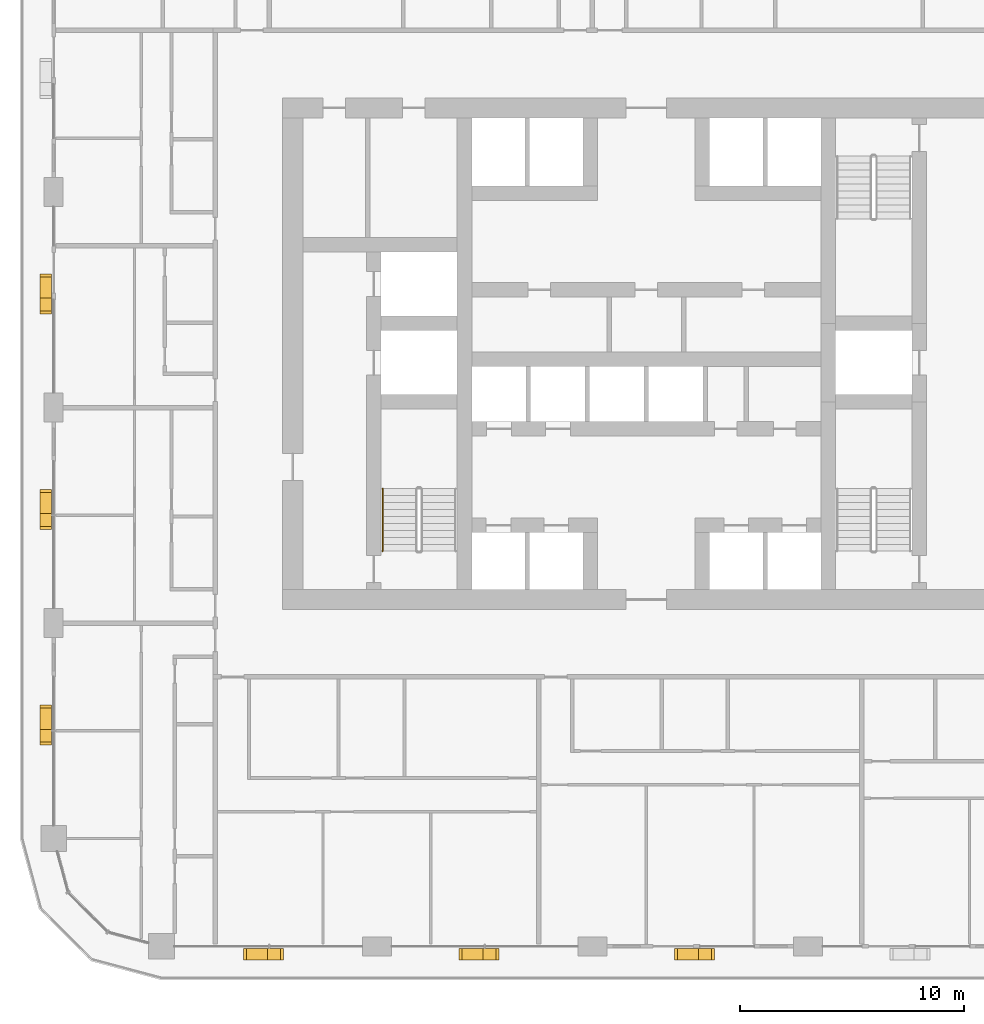
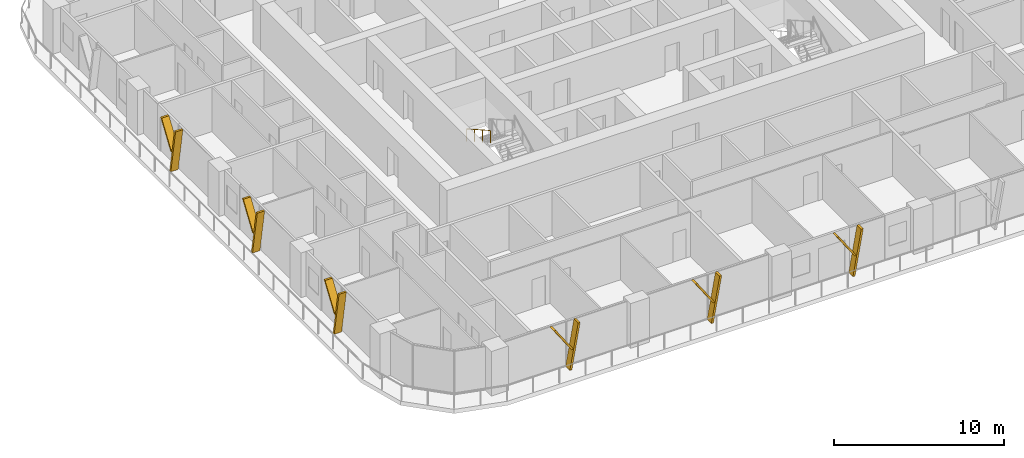
# One storey, part 17 of 22: 12 shading devices, 1 railing.
"""IFC4 building model written with IfcOpenShell, lengths in metres."""

from ifc_helpers import new_model, si_unit, direction, frame, origin, origin_2d, place, context, subcontext, project, spatial, polyline, circle, outline, extrude, material, type_object, element, save


model = new_model("IFC4")

# Units and contexts
model_context = context("Model", 3, precision=1e-05, world=origin(), true_north=direction((0.0, 1.0)))
body_context = subcontext(model_context, "Body", "Model", "MODEL_VIEW")
ifc_project = project(units=[si_unit("LENGTHUNIT", "METRE"), si_unit("AREAUNIT", "SQUARE_METRE"), si_unit("VOLUMEUNIT", "CUBIC_METRE"), si_unit("PLANEANGLEUNIT", "RADIAN"), si_unit("MASSUNIT", "GRAM", prefix="KILO")], contexts=[model_context])

# Site, building, storey
site_placement = place(None, origin())
site = spatial("IfcSite", under=ifc_project, at=site_placement, CompositionType="ELEMENT")
building_placement = place(site_placement, origin())
building = spatial("IfcBuilding", under=site, at=building_placement, Name="Madar Terraces", CompositionType="ELEMENT")
storey_placement = place(building_placement, frame((0.0, 0.0, 66.300048828125)))
storey = spatial("IfcBuildingStorey", under=building, at=storey_placement, Name="L16", CompositionType="ELEMENT", Elevation=66.300048828125)

# Shading devices
ifc_material_1 = material(Name="Aluminium, black anodised", Category="aluminium")
shading_device_type = type_object("IfcShadingDeviceType", Name="Facade fin blade 140 x 500", PredefinedType="USERDEFINED", material=ifc_material_1)
shading_device_1_placement = place(storey_placement, frame((14.330078125, -0.35009765625, 0.0), z_axis=(0.0, 0.0, 1.0), x_axis=(1.0, 0.0, 0.0)))
element("IfcShadingDevice", 1, at=shading_device_1_placement, inside=storey, type_object=shading_device_type, Name="FIN L16 S1", ObjectType="FIN", PredefinedType="USERDEFINED", context=body_context, shape_type="SweptSolid", body=[
    extrude(outline(polyline([(0.0, 0.0), (0.139892578125, 0.0), (0.704345703125, 3.199951171875), (0.564208984375, 3.199951171875), (0.0, 0.0)])), frame((0.0, 0.25, 0.0), z_axis=(0.0, -1.0, 0.0), x_axis=(1.0, 0.0, 0.0)), (0.0, 0.0, 1.0), 0.5),
])
shading_device_2_placement = place(storey_placement, frame((14.44384765625, -0.35009765625, 1.43994140625), z_axis=(0.0, 0.0, 1.0), x_axis=(1.0, 0.0, 0.0)))
element("IfcShadingDevice", 2, at=shading_device_2_placement, inside=storey, type_object=shading_device_type, Name="FIN L16 S1 branch", ObjectType="FIN", PredefinedType="USERDEFINED", context=body_context, shape_type="SweptSolid", body=[
    extrude(outline(polyline([(0.0, 0.0), (0.14013671875, 0.0), (-1.049560546875, 1.760009765625), (-1.189697265625, 1.760009765625), (0.0, 0.0)])), frame((0.0, 0.25, 0.0), z_axis=(0.0, -1.0, 0.0), x_axis=(1.0, 0.0, 0.0)), (0.0, 0.0, 1.0), 0.5),
])
shading_device_3_placement = place(storey_placement, frame((23.929931640625, -0.35009765625, 0.0), z_axis=(0.0, 0.0, 1.0), x_axis=(1.0, 0.0, 0.0)))
element("IfcShadingDevice", 3, at=shading_device_3_placement, inside=storey, type_object=shading_device_type, Name="FIN L16 S2", ObjectType="FIN", PredefinedType="USERDEFINED", context=body_context, shape_type="SweptSolid", body=[
    extrude(outline(polyline([(0.0, 0.0), (0.14013671875, 0.0), (0.704345703125, 3.199951171875), (0.564208984375, 3.199951171875), (0.0, 0.0)])), frame((0.0, 0.25, 0.0), z_axis=(0.0, -1.0, 0.0), x_axis=(1.0, 0.0, 0.0)), (0.0, 0.0, 1.0), 0.5),
])
shading_device_4_placement = place(storey_placement, frame((24.0439453125, -0.35009765625, 1.43994140625), z_axis=(0.0, 0.0, 1.0), x_axis=(1.0, 0.0, 0.0)))
element("IfcShadingDevice", 4, at=shading_device_4_placement, inside=storey, type_object=shading_device_type, Name="FIN L16 S2 branch", ObjectType="FIN", PredefinedType="USERDEFINED", context=body_context, shape_type="SweptSolid", body=[
    extrude(outline(polyline([(0.0, 0.0), (0.139892578125, 0.0), (-1.049560546875, 1.760009765625), (-1.189697265625, 1.760009765625), (0.0, 0.0)])), frame((0.0, 0.25, 0.0), z_axis=(0.0, -1.0, 0.0), x_axis=(1.0, 0.0, 0.0)), (0.0, 0.0, 1.0), 0.5),
])
shading_device_5_placement = place(storey_placement, frame((33.530029296875, -0.35009765625, 0.0), z_axis=(0.0, 0.0, 1.0), x_axis=(1.0, 0.0, 0.0)))
element("IfcShadingDevice", 5, at=shading_device_5_placement, inside=storey, type_object=shading_device_type, Name="FIN L16 S3", ObjectType="FIN", PredefinedType="USERDEFINED", context=body_context, shape_type="SweptSolid", body=[
    extrude(outline(polyline([(0.0, 0.0), (0.139892578125, 0.0), (0.704345703125, 3.199951171875), (0.564208984375, 3.199951171875), (0.0, 0.0)])), frame((0.0, 0.25, 0.0), z_axis=(0.0, -1.0, 0.0), x_axis=(1.0, 0.0, 0.0)), (0.0, 0.0, 1.0), 0.5),
])
shading_device_6_placement = place(storey_placement, frame((33.643798828125, -0.35009765625, 1.43994140625), z_axis=(0.0, 0.0, 1.0), x_axis=(1.0, 0.0, 0.0)))
element("IfcShadingDevice", 6, at=shading_device_6_placement, inside=storey, type_object=shading_device_type, Name="FIN L16 S3 branch", ObjectType="FIN", PredefinedType="USERDEFINED", context=body_context, shape_type="SweptSolid", body=[
    extrude(outline(polyline([(0.0, 0.0), (0.14013671875, 0.0), (-1.049560546875, 1.760009765625), (-1.189697265625, 1.760009765625), (0.0, 0.0)])), frame((0.0, 0.25, 0.0), z_axis=(0.0, -1.0, 0.0), x_axis=(1.0, 0.0, 0.0)), (0.0, 0.0, 1.0), 0.5),
])
shading_device_7_placement = place(storey_placement, frame((4.449951171875, 28.8701171875, 0.0), z_axis=(0.0, 0.0, 1.0), x_axis=(0.0, -1.0, 0.0)))
element("IfcShadingDevice", 7, at=shading_device_7_placement, inside=storey, type_object=shading_device_type, Name="FIN L16 W2", ObjectType="FIN", PredefinedType="USERDEFINED", context=body_context, shape_type="SweptSolid", body=[
    extrude(outline(polyline([(0.0, 0.0), (0.14013671875, 0.0), (0.704345703125, 3.199951171875), (0.564208984375, 3.199951171875), (0.0, 0.0)])), frame((0.0, 0.25, 0.0), z_axis=(0.0, -1.0, 0.0), x_axis=(1.0, 0.0, 0.0)), (0.0, 0.0, 1.0), 0.5),
])
shading_device_8_placement = place(storey_placement, frame((4.449951171875, 28.756103515625, 1.43994140625), z_axis=(0.0, 0.0, 1.0), x_axis=(0.0, -1.0, 0.0)))
element("IfcShadingDevice", 8, at=shading_device_8_placement, inside=storey, type_object=shading_device_type, Name="FIN L16 W2 branch", ObjectType="FIN", PredefinedType="USERDEFINED", context=body_context, shape_type="SweptSolid", body=[
    extrude(outline(polyline([(0.0, 0.0), (0.139892578125, 0.0), (-1.049560546875, 1.760009765625), (-1.189697265625, 1.760009765625), (0.0, 0.0)])), frame((0.0, 0.25, 0.0), z_axis=(0.0, -1.0, 0.0), x_axis=(1.0, 0.0, 0.0)), (0.0, 0.0, 1.0), 0.5),
])
shading_device_9_placement = place(storey_placement, frame((4.449951171875, 19.27001953125, 0.0), z_axis=(0.0, 0.0, 1.0), x_axis=(0.0, -1.0, 0.0)))
element("IfcShadingDevice", 9, at=shading_device_9_placement, inside=storey, type_object=shading_device_type, Name="FIN L16 W3", ObjectType="FIN", PredefinedType="USERDEFINED", context=body_context, shape_type="SweptSolid", body=[
    extrude(outline(polyline([(0.0, 0.0), (0.14013671875, 0.0), (0.704345703125, 3.199951171875), (0.564208984375, 3.199951171875), (0.0, 0.0)])), frame((0.0, 0.25, 0.0), z_axis=(0.0, -1.0, 0.0), x_axis=(1.0, 0.0, 0.0)), (0.0, 0.0, 1.0), 0.5),
])
shading_device_10_placement = place(storey_placement, frame((4.449951171875, 19.156005859375, 1.43994140625), z_axis=(0.0, 0.0, 1.0), x_axis=(0.0, -1.0, 0.0)))
element("IfcShadingDevice", 10, at=shading_device_10_placement, inside=storey, type_object=shading_device_type, Name="FIN L16 W3 branch", ObjectType="FIN", PredefinedType="USERDEFINED", context=body_context, shape_type="SweptSolid", body=[
    extrude(outline(polyline([(0.0, 0.0), (0.139892578125, 0.0), (-1.049560546875, 1.760009765625), (-1.189697265625, 1.760009765625), (0.0, 0.0)])), frame((0.0, 0.25, 0.0), z_axis=(0.0, -1.0, 0.0), x_axis=(1.0, 0.0, 0.0)), (0.0, 0.0, 1.0), 0.5),
])
shading_device_11_placement = place(storey_placement, frame((4.449951171875, 9.669921875, 0.0), z_axis=(0.0, 0.0, 1.0), x_axis=(0.0, -1.0, 0.0)))
element("IfcShadingDevice", 11, at=shading_device_11_placement, inside=storey, type_object=shading_device_type, Name="FIN L16 W4", ObjectType="FIN", PredefinedType="USERDEFINED", context=body_context, shape_type="SweptSolid", body=[
    extrude(outline(polyline([(0.0, 0.0), (0.139892578125, 0.0), (0.704345703125, 3.199951171875), (0.564208984375, 3.199951171875), (0.0, 0.0)])), frame((0.0, 0.25, 0.0), z_axis=(0.0, -1.0, 0.0), x_axis=(1.0, 0.0, 0.0)), (0.0, 0.0, 1.0), 0.5),
])
shading_device_12_placement = place(storey_placement, frame((4.449951171875, 9.55615234375, 1.43994140625), z_axis=(0.0, 0.0, 1.0), x_axis=(0.0, -1.0, 0.0)))
element("IfcShadingDevice", 12, at=shading_device_12_placement, inside=storey, type_object=shading_device_type, Name="FIN L16 W4 branch", ObjectType="FIN", PredefinedType="USERDEFINED", context=body_context, shape_type="SweptSolid", body=[
    extrude(outline(polyline([(0.0, 0.0), (0.14013671875, 0.0), (-1.049560546875, 1.760009765625), (-1.189697265625, 1.760009765625), (0.0, 0.0)])), frame((0.0, 0.25, 0.0), z_axis=(0.0, -1.0, 0.0), x_axis=(1.0, 0.0, 0.0)), (0.0, 0.0, 1.0), 0.5),
])

# Railing
ifc_material_2 = material(Name="Stainless steel railing", Category="steel")
railing_type = type_object("IfcRailingType", Name="Stair handrail 900", PredefinedType="HANDRAIL", material=ifc_material_2)
railing_placement = place(storey_placement, frame((19.449951171875, 20.389892578125, 1.925048828125)))
element("IfcRailing", 13, at=railing_placement, inside=storey, type_object=railing_type, Name="L16 ST1 stair handrail 2", PredefinedType="HANDRAIL", context=body_context, shape_type="SweptSolid", body=[
    extrude(circle(Radius=0.02392578125, at=origin_2d()), frame((0.0, 0.0, 0.8759765625), z_axis=(0.0, -0.870815363784, 0.491610213684), x_axis=(1.0, 0.0, 0.0)), (0.0, 0.0, 1.0), 3.20361328125),
    extrude(circle(Radius=0.02099609375, at=origin_2d()), origin(), (0.0, 0.0, 1.0), 0.851806640625),
    extrude(circle(Radius=0.02099609375, at=origin_2d()), frame((0.0, -0.929931640625, 0.52490234375)), (0.0, 0.0, 1.0), 0.851806640625),
    extrude(circle(Radius=0.02099609375, at=origin_2d()), frame((0.0, -1.85986328125, 1.050048828125)), (0.0, 0.0, 1.0), 0.851806640625),
    extrude(circle(Radius=0.02099609375, at=origin_2d()), frame((0.0, -2.789794921875, 1.574951171875)), (0.0, 0.0, 1.0), 0.851806640625),
])

save(model, "model.ifc")
